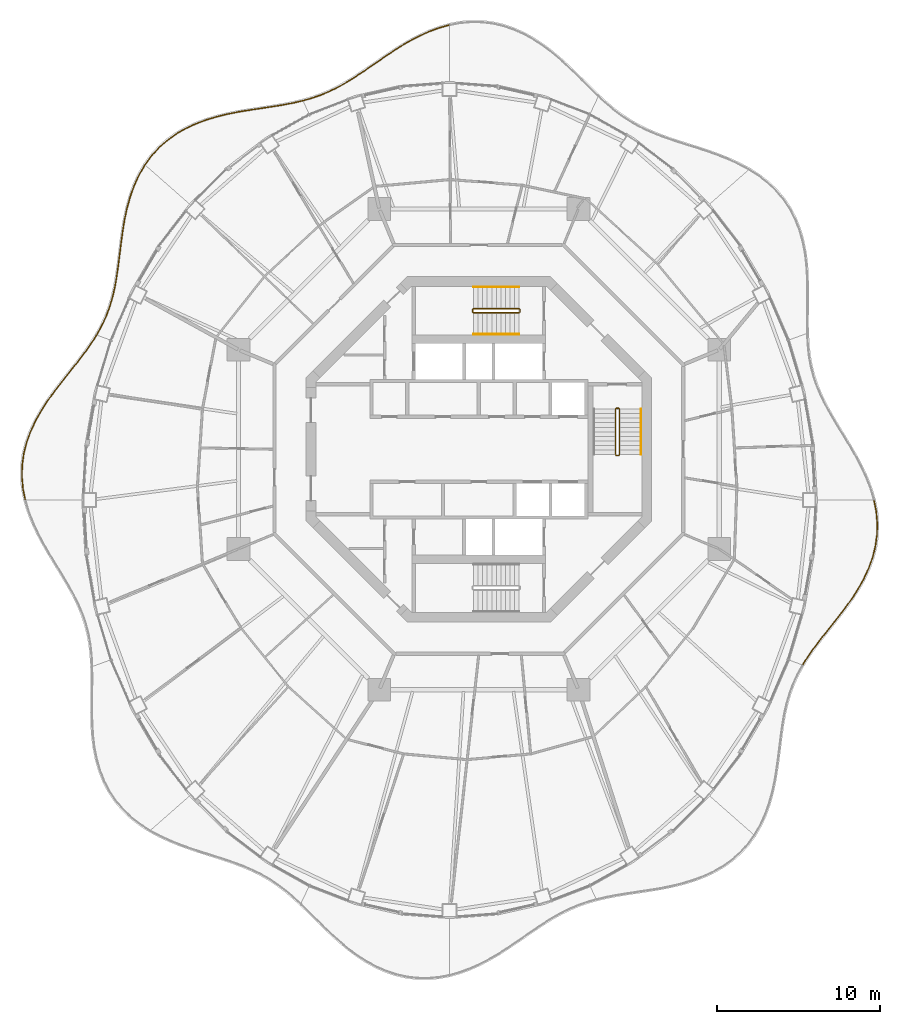
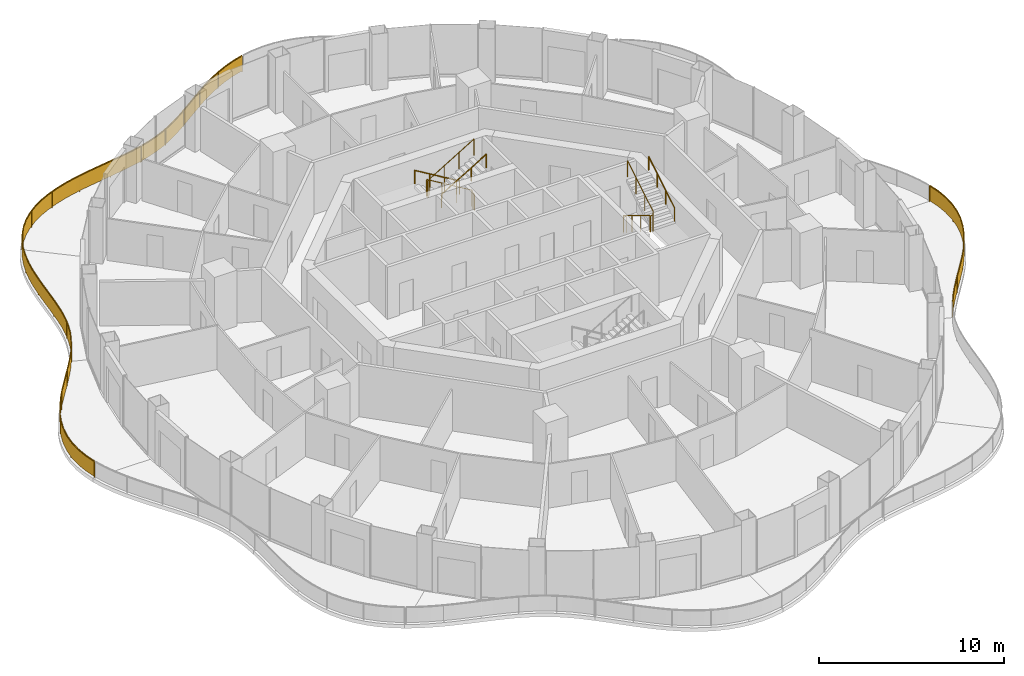
# One storey, part 16 of 17: 10 railings.
"""IFC4 building model written with IfcOpenShell, lengths in metres."""

from ifc_helpers import new_model, si_unit, direction, frame, origin, origin_2d, place, context, subcontext, project, spatial, polyline, rectangle, circle, outline, extrude, material, type_object, element, save


model = new_model("IFC4")

# Units and contexts
model_context = context("Model", 3, precision=1e-05, world=origin(), true_north=direction((0.0, 1.0)))
body_context = subcontext(model_context, "Body", "Model", "MODEL_VIEW")
ifc_project = project(units=[si_unit("LENGTHUNIT", "METRE"), si_unit("AREAUNIT", "SQUARE_METRE"), si_unit("VOLUMEUNIT", "CUBIC_METRE"), si_unit("PLANEANGLEUNIT", "RADIAN"), si_unit("MASSUNIT", "GRAM", prefix="KILO")], contexts=[model_context])

# Site, building, storey
site_placement = place(None, origin())
site = spatial("IfcSite", under=ifc_project, at=site_placement, CompositionType="ELEMENT")
building_placement = place(site_placement, origin())
building = spatial("IfcBuilding", under=site, at=building_placement, Name="Nagisa Residences", CompositionType="ELEMENT")
storey_placement = place(building_placement, frame((0.0, 0.0, 273.300048828125)))
storey = spatial("IfcBuildingStorey", under=building, at=storey_placement, Name="L69", CompositionType="ELEMENT", Elevation=273.300048828125)

# Railings
ifc_material_1 = material(Name="Stainless steel 316", Category="steel")
railing_type_1 = type_object("IfcRailingType", Name="BALCONY GUARD 1100", PredefinedType="BALUSTRADE", material=ifc_material_1)
railing_1_placement = place(storey_placement, frame((-1.837158203125, 26.0849609375, 0.0)))
element("IfcRailing", 1, at=railing_1_placement, inside=storey, type_object=railing_type_1, Name="guard:L69:bal04-0", PredefinedType="BALUSTRADE", context=body_context, shape_type="SweptSolid", body=[
    extrude(outline(polyline([(-0.601318359375, -0.197021484375), (0.0068359375, -0.024169921875), (-0.0068359375, 0.024169921875), (-0.616943359375, -0.149658203125), (-1.261474609375, -0.38916015625), (-1.890380859375, -0.675537109375), (-2.50146484375, -0.99951171875), (-3.093994140625, -1.351318359375), (-3.650390625, -1.71826171875), (-4.206787109375, -2.09521484375), (-4.74853515625, -2.470458984375), (-5.2783203125, -2.834716796875), (-5.80078125, -3.1806640625), (-6.30224609375, -3.496337890625), (-6.822021484375, -3.787841796875), (-7.34716796875, -4.046875), (-7.882568359375, -4.2724609375), (-8.431640625, -4.465576171875), (-8.9560546875, -4.616455078125), (-8.9423828125, -4.664794921875), (-8.41650390625, -4.513427734375), (-7.864501953125, -4.3193359375), (-7.326171875, -4.09228515625), (-6.798583984375, -3.832275390625), (-6.27685546875, -3.539306640625), (-5.7734375, -3.22265625), (-5.25048828125, -2.876220703125), (-4.72021484375, -2.511474609375), (-4.178466796875, -2.13671875), (-3.62255859375, -1.759765625), (-3.067626953125, -1.393798828125), (-2.47705078125, -1.04296875), (-1.868408203125, -0.720458984375), (-1.242431640625, -0.435546875), (-0.601318359375, -0.197021484375)])), frame((0.0, 0.0, 1.050048828125)), (0.0, 0.0, 1.0), 0.050048828125),
    extrude(outline(polyline([(-0.60693359375, -0.179931640625), (0.001953125, -0.0068359375), (-0.001953125, 0.0068359375), (-0.611328125, -0.166748046875), (-1.254638671875, -0.40576171875), (-1.882568359375, -0.691650390625), (-2.49267578125, -1.01513671875), (-3.08447265625, -1.36669921875), (-3.640380859375, -1.733154296875), (-4.196533203125, -2.110107421875), (-4.73828125, -2.485107421875), (-5.268310546875, -2.849609375), (-5.791015625, -3.19580078125), (-6.293212890625, -3.51171875), (-6.8134765625, -3.803955078125), (-7.339599609375, -4.063232421875), (-7.8759765625, -4.289306640625), (-8.42626953125, -4.48291015625), (-8.951171875, -4.6337890625), (-8.947265625, -4.6474609375), (-8.421875, -4.49609375), (-7.87109375, -4.302490234375), (-7.333740234375, -4.075927734375), (-6.80712890625, -3.816162109375), (-6.285888671875, -3.52392578125), (-5.783203125, -3.20751953125), (-5.260498046875, -2.861328125), (-4.73046875, -2.496826171875), (-4.188720703125, -2.121826171875), (-3.632568359375, -1.744873046875), (-3.0771484375, -1.37841796875), (-2.48583984375, -1.02734375), (-1.876220703125, -0.704345703125), (-1.249267578125, -0.4189453125), (-0.60693359375, -0.179931640625)])), frame((0.0, 0.0, 0.06005859375)), (0.0, 0.0, 1.0), 0.989990234375),
    extrude(rectangle(XDim=0.0400390625, YDim=0.0400390625, at=origin_2d()), origin(), (0.0, 0.0, 1.0), 1.050048828125),
    extrude(rectangle(XDim=0.0400390625, YDim=0.0400390625, at=origin_2d()), frame((-1.897216796875, -0.70751953125, 0.0)), (0.0, 0.0, 1.0), 1.050048828125),
    extrude(rectangle(XDim=0.0400390625, YDim=0.0400390625, at=origin_2d()), frame((-3.640625, -1.741943359375, 0.0)), (0.0, 0.0, 1.0), 1.050048828125),
    extrude(rectangle(XDim=0.0400390625, YDim=0.0400390625, at=origin_2d()), frame((-5.314208984375, -2.888427734375, 0.0)), (0.0, 0.0, 1.0), 1.050048828125),
    extrude(rectangle(XDim=0.0400390625, YDim=0.0400390625, at=origin_2d()), frame((-7.05322265625, -3.9296875, 0.0)), (0.0, 0.0, 1.0), 1.050048828125),
    extrude(rectangle(XDim=0.0400390625, YDim=0.0400390625, at=origin_2d()), frame((-8.94921875, -4.640625, 0.0)), (0.0, 0.0, 1.0), 1.050048828125),
])
railing_2_placement = place(storey_placement, frame((-10.85498046875, 21.42822265625, 0.0)))
element("IfcRailing", 2, at=railing_2_placement, inside=storey, type_object=railing_type_1, Name="guard:L69:bal05-0", PredefinedType="BALUSTRADE", context=body_context, shape_type="SweptSolid", body=[
    extrude(outline(polyline([(-0.560546875, -0.155517578125), (0.005615234375, -0.0244140625), (-0.005615234375, 0.0244140625), (-0.57080078125, -0.106689453125), (-1.19873046875, -0.226806640625), (-1.846435546875, -0.3330078125), (-2.51220703125, -0.43310546875), (-3.1923828125, -0.53662109375), (-3.867919921875, -0.6435546875), (-4.560546875, -0.781005859375), (-5.2490234375, -0.948486328125), (-5.92578125, -1.153076171875), (-6.582763671875, -1.400634765625), (-7.19970703125, -1.68603515625), (-7.794189453125, -2.033203125), (-8.346435546875, -2.43212890625), (-8.8515625, -2.883056640625), (-9.305419921875, -3.383544921875), (-9.67626953125, -3.89208984375), (-9.6357421875, -3.92138671875), (-9.266357421875, -3.415283203125), (-8.81640625, -2.918701171875), (-8.315185546875, -2.47119140625), (-7.766845703125, -2.0751953125), (-7.1767578125, -1.73046875), (-6.563232421875, -1.447021484375), (-5.90966796875, -1.200439453125), (-5.23583984375, -0.996826171875), (-4.5498046875, -0.829833984375), (-3.859130859375, -0.69287109375), (-3.1845703125, -0.5859375), (-2.5048828125, -0.482421875), (-1.838623046875, -0.38232421875), (-1.18994140625, -0.276123046875), (-0.560546875, -0.155517578125)])), frame((0.0, 0.0, 1.050048828125)), (0.0, 0.0, 1.0), 0.050048828125),
    extrude(outline(polyline([(-0.564208984375, -0.137939453125), (0.00146484375, -0.0068359375), (-0.00146484375, 0.0068359375), (-0.567138671875, -0.124267578125), (-1.195556640625, -0.24462890625), (-1.843505859375, -0.350830078125), (-2.509521484375, -0.450927734375), (-3.189453125, -0.554443359375), (-3.86474609375, -0.661376953125), (-4.556640625, -0.798583984375), (-5.244384765625, -0.9658203125), (-5.919921875, -1.170166015625), (-6.57568359375, -1.41748046875), (-7.19140625, -1.7021484375), (-7.784423828125, -2.04833984375), (-8.335205078125, -2.4462890625), (-8.8388671875, -2.89599609375), (-9.291259765625, -3.39501953125), (-9.66162109375, -3.902587890625), (-9.650390625, -3.910888671875), (-9.280517578125, -3.40380859375), (-8.8291015625, -2.90576171875), (-8.326416015625, -2.45703125), (-7.776611328125, -2.06005859375), (-7.18505859375, -1.71435546875), (-6.5703125, -1.43017578125), (-5.91552734375, -1.183349609375), (-5.240478515625, -0.9794921875), (-4.5537109375, -0.812255859375), (-3.8623046875, -0.675048828125), (-3.1875, -0.568115234375), (-2.507568359375, -0.464599609375), (-1.841552734375, -0.364501953125), (-1.193115234375, -0.25830078125), (-0.564208984375, -0.137939453125)])), frame((0.0, 0.0, 0.06005859375)), (0.0, 0.0, 1.0), 0.989990234375),
    extrude(rectangle(XDim=0.0400390625, YDim=0.0400390625, at=origin_2d()), origin(), (0.0, 0.0, 1.0), 1.050048828125),
    extrude(rectangle(XDim=0.0400390625, YDim=0.0400390625, at=origin_2d()), frame((-2.113525390625, -0.3984375, 0.0)), (0.0, 0.0, 1.0), 1.050048828125),
    extrude(rectangle(XDim=0.0400390625, YDim=0.0400390625, at=origin_2d()), frame((-4.2373046875, -0.742431640625, 0.0)), (0.0, 0.0, 1.0), 1.050048828125),
    extrude(rectangle(XDim=0.0400390625, YDim=0.0400390625, at=origin_2d()), frame((-6.305908203125, -1.322998046875, 0.0)), (0.0, 0.0, 1.0), 1.050048828125),
    extrude(rectangle(XDim=0.0400390625, YDim=0.0400390625, at=origin_2d()), frame((-8.18798828125, -2.348388671875, 0.0)), (0.0, 0.0, 1.0), 1.050048828125),
    extrude(rectangle(XDim=0.0400390625, YDim=0.0400390625, at=origin_2d()), frame((-9.656005859375, -3.90673828125, 0.0)), (0.0, 0.0, 1.0), 1.050048828125),
])
railing_3_placement = place(storey_placement, frame((-20.552978515625, 17.45654296875, 0.0)))
element("IfcRailing", 3, at=railing_3_placement, inside=storey, type_object=railing_type_1, Name="guard:L69:bal06-0", PredefinedType="BALUSTRADE", context=body_context, shape_type="SweptSolid", body=[
    extrude(outline(polyline([(-0.312744140625, -0.586669921875), (0.021728515625, -0.0126953125), (-0.021728515625, 0.0126953125), (-0.357177734375, -0.563720703125), (-0.65869140625, -1.21826171875), (-0.9052734375, -1.903076171875), (-1.102294921875, -2.60888671875), (-1.25732421875, -3.327880859375), (-1.370849609375, -4.03857421875), (-1.470703125, -4.7587890625), (-1.558349609375, -5.46875), (-1.645751953125, -6.163330078125), (-1.742919921875, -6.8388671875), (-1.853759765625, -7.478759765625), (-1.999267578125, -8.108642578125), (-2.180419921875, -8.715576171875), (-2.402099609375, -9.3017578125), (-2.666259765625, -9.8701171875), (-2.9541015625, -10.388427734375), (-2.91015625, -10.412841796875), (-2.621826171875, -9.89306640625), (-2.355712890625, -9.3212890625), (-2.133056640625, -8.731689453125), (-1.950927734375, -8.121337890625), (-1.804443359375, -7.488525390625), (-1.693603515625, -6.8466796875), (-1.595947265625, -6.170166015625), (-1.508544921875, -5.47509765625), (-1.4208984375, -4.76513671875), (-1.321533203125, -4.0458984375), (-1.2080078125, -3.337158203125), (-1.053466796875, -2.62109375), (-0.857421875, -1.918212890625), (-0.6123046875, -1.2373046875), (-0.312744140625, -0.586669921875)])), frame((0.0, 0.0, 1.050048828125)), (0.0, 0.0, 1.0), 0.050048828125),
    extrude(outline(polyline([(-0.328857421875, -0.578369140625), (0.006103515625, -0.00341796875), (-0.006103515625, 0.00341796875), (-0.341064453125, -0.572021484375), (-0.64208984375, -1.22509765625), (-0.887939453125, -1.908447265625), (-1.084716796875, -2.61328125), (-1.239501953125, -3.331298828125), (-1.35302734375, -4.041259765625), (-1.45263671875, -4.760986328125), (-1.540283203125, -5.470947265625), (-1.627685546875, -6.165771484375), (-1.72509765625, -6.841796875), (-1.8359375, -7.482177734375), (-1.98193359375, -8.11328125), (-2.163330078125, -8.721435546875), (-2.38525390625, -9.308837890625), (-2.650390625, -9.87841796875), (-2.938232421875, -10.397216796875), (-2.926025390625, -10.404052734375), (-2.6376953125, -9.884765625), (-2.37255859375, -9.314208984375), (-2.150146484375, -8.725830078125), (-1.96826171875, -8.11669921875), (-1.822265625, -7.485107421875), (-1.71142578125, -6.84375), (-1.614013671875, -6.167724609375), (-1.526611328125, -5.472900390625), (-1.43896484375, -4.762939453125), (-1.33935546875, -4.043212890625), (-1.225830078125, -3.333740234375), (-1.071044921875, -2.61669921875), (-0.874755859375, -1.912841796875), (-0.62890625, -1.23046875), (-0.328857421875, -0.578369140625)])), frame((0.0, 0.0, 0.06005859375)), (0.0, 0.0, 1.0), 0.989990234375),
    extrude(rectangle(XDim=0.0400390625, YDim=0.0400390625, at=origin_2d()), origin(), (0.0, 0.0, 1.0), 1.050048828125),
    extrude(rectangle(XDim=0.0400390625, YDim=0.0400390625, at=origin_2d()), frame((-0.900390625, -1.97900390625, 0.0)), (0.0, 0.0, 1.0), 1.050048828125),
    extrude(rectangle(XDim=0.0400390625, YDim=0.0400390625, at=origin_2d()), frame((-1.35546875, -4.109130859375, 0.0)), (0.0, 0.0, 1.0), 1.050048828125),
    extrude(rectangle(XDim=0.0400390625, YDim=0.0400390625, at=origin_2d()), frame((-1.635986328125, -6.271728515625, 0.0)), (0.0, 0.0, 1.0), 1.050048828125),
    extrude(rectangle(XDim=0.0400390625, YDim=0.0400390625, at=origin_2d()), frame((-2.0625, -8.407470703125, 0.0)), (0.0, 0.0, 1.0), 1.050048828125),
    extrude(rectangle(XDim=0.0400390625, YDim=0.0400390625, at=origin_2d()), frame((-2.93212890625, -10.400634765625, 0.0)), (0.0, 0.0, 1.0), 1.050048828125),
])
railing_4_placement = place(storey_placement, frame((-23.522705078125, 6.996337890625, 0.0)))
element("IfcRailing", 4, at=railing_4_placement, inside=storey, type_object=railing_type_1, Name="guard:L69:bal07-0", PredefinedType="BALUSTRADE", context=body_context, shape_type="SweptSolid", body=[
    extrude(outline(polyline([(-0.318115234375, -0.5419921875), (0.02099609375, -0.013427734375), (-0.02099609375, 0.013427734375), (-0.359619140625, -0.51416015625), (-0.758056640625, -1.07275390625), (-1.187744140625, -1.632568359375), (-1.637939453125, -2.19873046875), (-2.097412109375, -2.7763671875), (-2.55029296875, -3.354736328125), (-2.9892578125, -3.96484375), (-3.397705078125, -4.59423828125), (-3.762451171875, -5.2431640625), (-4.072509765625, -5.9111328125), (-4.31591796875, -6.581787109375), (-4.488525390625, -7.2802734375), (-4.583251953125, -7.98828125), (-4.598388671875, -8.701904296875), (-4.534423828125, -9.416259765625), (-4.403076171875, -10.0810546875), (-4.353759765625, -10.0712890625), (-4.484619140625, -9.408935546875), (-4.548095703125, -8.699951171875), (-4.533447265625, -7.9921875), (-4.439208984375, -7.28955078125), (-4.26806640625, -6.596435546875), (-4.026123046875, -5.93017578125), (-3.718017578125, -5.26611328125), (-3.354736328125, -4.6201171875), (-2.94775390625, -3.9931640625), (-2.51025390625, -3.385009765625), (-2.058349609375, -2.80712890625), (-1.598876953125, -2.22998046875), (-1.148193359375, -1.663330078125), (-0.718017578125, -1.1025390625), (-0.318115234375, -0.5419921875)])), frame((0.0, 0.0, 1.050048828125)), (0.0, 0.0, 1.0), 0.050048828125),
    extrude(outline(polyline([(-0.3330078125, -0.531982421875), (0.005859375, -0.003662109375), (-0.005859375, 0.003662109375), (-0.3447265625, -0.524169921875), (-0.74365234375, -1.08349609375), (-1.173583984375, -1.6435546875), (-1.623779296875, -2.2099609375), (-2.08349609375, -2.787353515625), (-2.535888671875, -3.36572265625), (-2.974365234375, -3.97509765625), (-3.38232421875, -4.603515625), (-3.74658203125, -5.25146484375), (-4.055908203125, -5.91796875), (-4.298583984375, -6.587158203125), (-4.470703125, -7.28369140625), (-4.5654296875, -7.98974609375), (-4.580322265625, -8.701171875), (-4.516357421875, -9.41357421875), (-4.38525390625, -10.07763671875), (-4.37158203125, -10.07470703125), (-4.502685546875, -9.41162109375), (-4.566162109375, -8.70068359375), (-4.55126953125, -7.99072265625), (-4.45703125, -7.2861328125), (-4.285400390625, -6.591064453125), (-4.042724609375, -5.92333984375), (-3.73388671875, -5.2578125), (-3.3701171875, -4.61083984375), (-2.962646484375, -3.98291015625), (-2.524658203125, -3.3740234375), (-2.072265625, -2.796142578125), (-1.613037109375, -2.21875), (-1.162353515625, -1.65234375), (-0.732421875, -1.091796875), (-0.3330078125, -0.531982421875)])), frame((0.0, 0.0, 0.06005859375)), (0.0, 0.0, 1.0), 0.989990234375),
    extrude(rectangle(XDim=0.0400390625, YDim=0.0400390625, at=origin_2d()), origin(), (0.0, 0.0, 1.0), 1.050048828125),
    extrude(rectangle(XDim=0.0400390625, YDim=0.0400390625, at=origin_2d()), frame((-1.33349609375, -1.85595703125, 0.0)), (0.0, 0.0, 1.0), 1.050048828125),
    extrude(rectangle(XDim=0.0400390625, YDim=0.0400390625, at=origin_2d()), frame((-2.73876953125, -3.65966796875, 0.0)), (0.0, 0.0, 1.0), 1.050048828125),
    extrude(rectangle(XDim=0.0400390625, YDim=0.0400390625, at=origin_2d()), frame((-3.909423828125, -5.619140625, 0.0)), (0.0, 0.0, 1.0), 1.050048828125),
    extrude(rectangle(XDim=0.0400390625, YDim=0.0400390625, at=origin_2d()), frame((-4.53369140625, -7.806884765625, 0.0)), (0.0, 0.0, 1.0), 1.050048828125),
    extrude(rectangle(XDim=0.0400390625, YDim=0.0400390625, at=origin_2d()), frame((-4.37841796875, -10.076171875, 0.0)), (0.0, 0.0, 1.0), 1.050048828125),
])
railing_5_placement = place(storey_placement, frame((19.9228515625, -13.231689453125, 0.0)))
element("IfcRailing", 5, at=railing_5_placement, inside=storey, type_object=railing_type_1, Name="guard:L69:bal15-0", PredefinedType="BALUSTRADE", context=body_context, shape_type="SweptSolid", body=[
    extrude(outline(polyline([(0.31787109375, 0.5419921875), (-0.02099609375, 0.013427734375), (0.02099609375, -0.013427734375), (0.359375, 0.51416015625), (0.758056640625, 1.07275390625), (1.1875, 1.632568359375), (1.6376953125, 2.19873046875), (2.09716796875, 2.7763671875), (2.550048828125, 3.354736328125), (2.9892578125, 3.96484375), (3.3974609375, 4.59423828125), (3.762451171875, 5.2431640625), (4.072265625, 5.9111328125), (4.315673828125, 6.581787109375), (4.48828125, 7.280029296875), (4.5830078125, 7.988037109375), (4.598388671875, 8.70166015625), (4.534423828125, 9.416259765625), (4.403076171875, 10.0810546875), (4.353759765625, 10.0712890625), (4.484619140625, 9.408935546875), (4.548095703125, 8.7001953125), (4.533203125, 7.991943359375), (4.43896484375, 7.289306640625), (4.267822265625, 6.596435546875), (4.02587890625, 5.93017578125), (3.718017578125, 5.26611328125), (3.3544921875, 4.6201171875), (2.94775390625, 3.9931640625), (2.510009765625, 3.385009765625), (2.05810546875, 2.80712890625), (1.5986328125, 2.22998046875), (1.14794921875, 1.663330078125), (0.718017578125, 1.1025390625), (0.31787109375, 0.5419921875)])), frame((0.0, 0.0, 1.050048828125)), (0.0, 0.0, 1.0), 0.050048828125),
    extrude(outline(polyline([(0.332763671875, 0.531982421875), (-0.005859375, 0.003662109375), (0.005859375, -0.003662109375), (0.344482421875, 0.524169921875), (0.74365234375, 1.08349609375), (1.17333984375, 1.6435546875), (1.62353515625, 2.2099609375), (2.083251953125, 2.787353515625), (2.53564453125, 3.36572265625), (2.974365234375, 3.97509765625), (3.382080078125, 4.603515625), (3.74658203125, 5.25146484375), (4.0556640625, 5.91796875), (4.29833984375, 6.587158203125), (4.470458984375, 7.283447265625), (4.565185546875, 7.989501953125), (4.580322265625, 8.701171875), (4.516357421875, 9.41357421875), (4.38525390625, 10.07763671875), (4.37158203125, 10.07470703125), (4.502685546875, 9.41162109375), (4.566162109375, 8.70068359375), (4.551025390625, 7.990478515625), (4.456787109375, 7.285888671875), (4.28515625, 6.591064453125), (4.04248046875, 5.92333984375), (3.73388671875, 5.2578125), (3.369873046875, 4.61083984375), (2.962646484375, 3.98291015625), (2.5244140625, 3.3740234375), (2.072021484375, 2.796142578125), (1.61279296875, 2.21875), (1.162109375, 1.65234375), (0.732421875, 1.091796875), (0.332763671875, 0.531982421875)])), frame((0.0, 0.0, 0.06005859375)), (0.0, 0.0, 1.0), 0.989990234375),
    extrude(rectangle(XDim=0.0400390625, YDim=0.0400390625, at=origin_2d()), origin(), (0.0, 0.0, 1.0), 1.050048828125),
    extrude(rectangle(XDim=0.0400390625, YDim=0.0400390625, at=origin_2d()), frame((1.333251953125, 1.856201171875, 0.0)), (0.0, 0.0, 1.0), 1.050048828125),
    extrude(rectangle(XDim=0.0400390625, YDim=0.0400390625, at=origin_2d()), frame((2.738525390625, 3.65966796875, 0.0)), (0.0, 0.0, 1.0), 1.050048828125),
    extrude(rectangle(XDim=0.0400390625, YDim=0.0400390625, at=origin_2d()), frame((3.9091796875, 5.619140625, 0.0)), (0.0, 0.0, 1.0), 1.050048828125),
    extrude(rectangle(XDim=0.0400390625, YDim=0.0400390625, at=origin_2d()), frame((4.533447265625, 7.806884765625, 0.0)), (0.0, 0.0, 1.0), 1.050048828125),
    extrude(rectangle(XDim=0.0400390625, YDim=0.0400390625, at=origin_2d()), frame((4.37841796875, 10.076171875, 0.0)), (0.0, 0.0, 1.0), 1.050048828125),
])
ifc_material_2 = material(Name="Stainless steel", Category="steel")
railing_type_2 = type_object("IfcRailingType", Name="Stair guard 1100", PredefinedType="GUARDRAIL", material=ifc_material_2)
railing_6_placement = place(storey_placement, frame((8.599609375, 2.52490234375, 0.0)))
element("IfcRailing", 6, at=railing_6_placement, inside=storey, type_object=railing_type_2, Name="L69 ST-E stair guard 1", PredefinedType="GUARDRAIL", context=body_context, shape_type="SweptSolid", body=[
    extrude(circle(Radius=0.02392578125, at=origin_2d()), frame((0.0, 0.0, 1.076171875), z_axis=(-1.0, 0.0, 0.0), x_axis=(0.0, -1.0, 0.0)), (0.0, 0.0, 1.0), 0.14990234375),
    extrude(circle(Radius=0.02392578125, at=origin_2d()), frame((-0.14990234375, 0.0, 1.076171875), z_axis=(-0.27434429532, -0.273006030465, 0.922064485248), x_axis=(0.705375805398, -0.708833529934, 0.0)), (0.0, 0.0, 1.0), 0.182373046875),
    extrude(circle(Radius=0.02392578125, at=origin_2d()), frame((-0.199951171875, -0.0498046875, 1.244140625), z_axis=(0.0, -0.857275202839, 0.514858452973), x_axis=(1.0, 0.0, 0.0)), (0.0, 0.0, 1.0), 3.26611328125),
    extrude(circle(Radius=0.02392578125, at=origin_2d()), frame((-0.199951171875, -2.849853515625, 2.92578125), z_axis=(0.707106781187, -0.707106781187, 0.0), x_axis=(0.707106781187, 0.707106781187, 0.0)), (0.0, 0.0, 1.0), 0.07080078125),
    extrude(circle(Radius=0.02392578125, at=origin_2d()), frame((-0.14990234375, -2.89990234375, 2.92578125), z_axis=(1.0, 0.0, 0.0), x_axis=(0.0, 1.0, 0.0)), (0.0, 0.0, 1.0), 0.14990234375),
    extrude(circle(Radius=0.02392578125, at=origin_2d()), frame((0.0, -2.89990234375, 2.92578125), z_axis=(0.274243871929, 0.274243871929, 0.92172696468), x_axis=(-0.707106781187, 0.707106781187, 0.0)), (0.0, 0.0, 1.0), 0.1826171875),
    extrude(circle(Radius=0.02392578125, at=origin_2d()), frame((0.050048828125, -2.849853515625, 3.09423828125), z_axis=(0.0, 0.857242210791, 0.514913383045), x_axis=(-1.0, 0.0, 0.0)), (0.0, 0.0, 1.0), 3.266357421875),
    extrude(circle(Radius=0.02099609375, at=origin_2d()), origin(), (0.0, 0.0, 1.0), 1.052001953125),
    extrude(circle(Radius=0.02099609375, at=origin_2d()), frame((-0.14990234375, 0.0, 0.0)), (0.0, 0.0, 1.0), 1.052001953125),
    extrude(circle(Radius=0.02099609375, at=origin_2d()), frame((-0.199951171875, -0.0498046875, 0.168212890625)), (0.0, 0.0, 1.0), 1.052001953125),
    extrude(circle(Radius=0.02099609375, at=origin_2d()), frame((-0.199951171875, -0.983154296875, 0.728759765625)), (0.0, 0.0, 1.0), 1.052001953125),
    extrude(circle(Radius=0.02099609375, at=origin_2d()), frame((-0.199951171875, -1.91650390625, 1.289306640625)), (0.0, 0.0, 1.0), 1.052001953125),
    extrude(circle(Radius=0.02099609375, at=origin_2d()), frame((-0.199951171875, -2.849853515625, 1.849853515625)), (0.0, 0.0, 1.0), 1.052001953125),
    extrude(circle(Radius=0.02099609375, at=origin_2d()), frame((-0.14990234375, -2.89990234375, 1.849853515625)), (0.0, 0.0, 1.0), 1.052001953125),
    extrude(circle(Radius=0.02099609375, at=origin_2d()), frame((0.0, -2.89990234375, 1.849853515625)), (0.0, 0.0, 1.0), 1.052001953125),
    extrude(circle(Radius=0.02099609375, at=origin_2d()), frame((0.050048828125, -2.849853515625, 2.01806640625)), (0.0, 0.0, 1.0), 1.052001953125),
    extrude(circle(Radius=0.02099609375, at=origin_2d()), frame((0.050048828125, -1.91650390625, 2.57861328125)), (0.0, 0.0, 1.0), 1.052001953125),
    extrude(circle(Radius=0.02099609375, at=origin_2d()), frame((0.050048828125, -0.983154296875, 3.139404296875)), (0.0, 0.0, 1.0), 1.052001953125),
    extrude(circle(Radius=0.02099609375, at=origin_2d()), frame((0.050048828125, -0.0498046875, 3.699951171875)), (0.0, 0.0, 1.0), 1.052001953125),
])
railing_7_placement = place(storey_placement, frame((2.52490234375, 8.44970703125, 0.0)))
element("IfcRailing", 7, at=railing_7_placement, inside=storey, type_object=railing_type_2, Name="L69 ST-N stair guard 1", PredefinedType="GUARDRAIL", context=body_context, shape_type="SweptSolid", body=[
    extrude(circle(Radius=0.02392578125, at=origin_2d()), frame((0.0, 0.0, 1.076171875), z_axis=(0.0, 1.0, 0.0), x_axis=(-1.0, 0.0, 0.0)), (0.0, 0.0, 1.0), 0.14990234375),
    extrude(circle(Radius=0.02392578125, at=origin_2d()), frame((0.0, 0.14990234375, 1.076171875), z_axis=(-0.273006030465, 0.27434429532, 0.922064485248), x_axis=(-0.708833529934, -0.705375805398, 0.0)), (0.0, 0.0, 1.0), 0.182373046875),
    extrude(circle(Radius=0.02392578125, at=origin_2d()), frame((-0.0498046875, 0.199951171875, 1.244140625), z_axis=(-0.857275202839, 0.0, 0.514858452973), x_axis=(0.0, -1.0, 0.0)), (0.0, 0.0, 1.0), 3.26611328125),
    extrude(circle(Radius=0.02392578125, at=origin_2d()), frame((-2.849853515625, 0.199951171875, 2.92578125), z_axis=(-0.707106781187, -0.707106781187, 0.0), x_axis=(0.707106781187, -0.707106781187, 0.0)), (0.0, 0.0, 1.0), 0.07080078125),
    extrude(circle(Radius=0.02392578125, at=origin_2d()), frame((-2.89990234375, 0.14990234375, 2.92578125), z_axis=(0.0, -1.0, 0.0), x_axis=(1.0, 0.0, 0.0)), (0.0, 0.0, 1.0), 0.14990234375),
    extrude(circle(Radius=0.02392578125, at=origin_2d()), frame((-2.89990234375, 0.0, 2.92578125), z_axis=(0.274243871929, -0.274243871929, 0.92172696468), x_axis=(0.707106781187, 0.707106781187, 0.0)), (0.0, 0.0, 1.0), 0.1826171875),
    extrude(circle(Radius=0.02392578125, at=origin_2d()), frame((-2.849853515625, -0.050048828125, 3.09423828125), z_axis=(0.857242210791, 0.0, 0.514913383045), x_axis=(0.0, 1.0, 0.0)), (0.0, 0.0, 1.0), 3.266357421875),
    extrude(circle(Radius=0.02099609375, at=origin_2d()), origin(), (0.0, 0.0, 1.0), 1.052001953125),
    extrude(circle(Radius=0.02099609375, at=origin_2d()), frame((0.0, 0.14990234375, 0.0)), (0.0, 0.0, 1.0), 1.052001953125),
    extrude(circle(Radius=0.02099609375, at=origin_2d()), frame((-0.0498046875, 0.199951171875, 0.168212890625)), (0.0, 0.0, 1.0), 1.052001953125),
    extrude(circle(Radius=0.02099609375, at=origin_2d()), frame((-0.983154296875, 0.199951171875, 0.728759765625)), (0.0, 0.0, 1.0), 1.052001953125),
    extrude(circle(Radius=0.02099609375, at=origin_2d()), frame((-1.91650390625, 0.199951171875, 1.289306640625)), (0.0, 0.0, 1.0), 1.052001953125),
    extrude(circle(Radius=0.02099609375, at=origin_2d()), frame((-2.849853515625, 0.199951171875, 1.849853515625)), (0.0, 0.0, 1.0), 1.052001953125),
    extrude(circle(Radius=0.02099609375, at=origin_2d()), frame((-2.89990234375, 0.14990234375, 1.849853515625)), (0.0, 0.0, 1.0), 1.052001953125),
    extrude(circle(Radius=0.02099609375, at=origin_2d()), frame((-2.89990234375, 0.0, 1.849853515625)), (0.0, 0.0, 1.0), 1.052001953125),
    extrude(circle(Radius=0.02099609375, at=origin_2d()), frame((-2.849853515625, -0.050048828125, 2.01806640625)), (0.0, 0.0, 1.0), 1.052001953125),
    extrude(circle(Radius=0.02099609375, at=origin_2d()), frame((-1.91650390625, -0.050048828125, 2.57861328125)), (0.0, 0.0, 1.0), 1.052001953125),
    extrude(circle(Radius=0.02099609375, at=origin_2d()), frame((-0.983154296875, -0.050048828125, 3.139404296875)), (0.0, 0.0, 1.0), 1.052001953125),
    extrude(circle(Radius=0.02099609375, at=origin_2d()), frame((-0.0498046875, -0.050048828125, 3.699951171875)), (0.0, 0.0, 1.0), 1.052001953125),
])
ifc_material_3 = material(Name="Stainless steel", Category="steel")
railing_type_3 = type_object("IfcRailingType", Name="Stair handrail 900", PredefinedType="HANDRAIL", material=ifc_material_3)
railing_8_placement = place(storey_placement, frame((9.974609375, -0.324951171875, 2.01806640625)))
element("IfcRailing", 8, at=railing_8_placement, inside=storey, type_object=railing_type_3, Name="L69 ST-E stair handrail 2", PredefinedType="HANDRAIL", context=body_context, shape_type="SweptSolid", body=[
    extrude(circle(Radius=0.02392578125, at=origin_2d()), frame((0.0, 0.0, 0.8759765625), z_axis=(0.0, 0.857242210791, 0.514913383045), x_axis=(-1.0, 0.0, 0.0)), (0.0, 0.0, 1.0), 3.266357421875),
    extrude(circle(Radius=0.02099609375, at=origin_2d()), origin(), (0.0, 0.0, 1.0), 0.851806640625),
    extrude(circle(Radius=0.02099609375, at=origin_2d()), frame((0.0, 0.933349609375, 0.560546875)), (0.0, 0.0, 1.0), 0.851806640625),
    extrude(circle(Radius=0.02099609375, at=origin_2d()), frame((0.0, 1.86669921875, 1.121337890625)), (0.0, 0.0, 1.0), 0.851806640625),
    extrude(circle(Radius=0.02099609375, at=origin_2d()), frame((0.0, 2.800048828125, 1.681884765625)), (0.0, 0.0, 1.0), 0.851806640625),
])
railing_9_placement = place(storey_placement, frame((2.47509765625, 9.974609375, 0.168212890625)))
element("IfcRailing", 9, at=railing_9_placement, inside=storey, type_object=railing_type_3, Name="L69 ST-N stair handrail 1", PredefinedType="HANDRAIL", context=body_context, shape_type="SweptSolid", body=[
    extrude(circle(Radius=0.02392578125, at=origin_2d()), frame((0.0, 0.0, 0.8759765625), z_axis=(-0.857275202839, 0.0, 0.514858452973), x_axis=(0.0, -1.0, 0.0)), (0.0, 0.0, 1.0), 3.26611328125),
    extrude(circle(Radius=0.02099609375, at=origin_2d()), origin(), (0.0, 0.0, 1.0), 0.851806640625),
    extrude(circle(Radius=0.02099609375, at=origin_2d()), frame((-0.933349609375, 0.0, 0.560546875)), (0.0, 0.0, 1.0), 0.851806640625),
    extrude(circle(Radius=0.02099609375, at=origin_2d()), frame((-1.86669921875, 0.0, 1.12109375)), (0.0, 0.0, 1.0), 0.851806640625),
    extrude(circle(Radius=0.02099609375, at=origin_2d()), frame((-2.800048828125, 0.0, 1.681640625)), (0.0, 0.0, 1.0), 0.851806640625),
])
railing_10_placement = place(storey_placement, frame((-0.324951171875, 7.07470703125, 2.01806640625)))
element("IfcRailing", 10, at=railing_10_placement, inside=storey, type_object=railing_type_3, Name="L69 ST-N stair handrail 2", PredefinedType="HANDRAIL", context=body_context, shape_type="SweptSolid", body=[
    extrude(circle(Radius=0.02392578125, at=origin_2d()), frame((0.0, 0.0, 0.8759765625), z_axis=(0.857242210791, 0.0, 0.514913383045), x_axis=(0.0, 1.0, 0.0)), (0.0, 0.0, 1.0), 3.266357421875),
    extrude(circle(Radius=0.02099609375, at=origin_2d()), origin(), (0.0, 0.0, 1.0), 0.851806640625),
    extrude(circle(Radius=0.02099609375, at=origin_2d()), frame((0.933349609375, 0.0, 0.560546875)), (0.0, 0.0, 1.0), 0.851806640625),
    extrude(circle(Radius=0.02099609375, at=origin_2d()), frame((1.86669921875, 0.0, 1.121337890625)), (0.0, 0.0, 1.0), 0.851806640625),
    extrude(circle(Radius=0.02099609375, at=origin_2d()), frame((2.800048828125, 0.0, 1.681884765625)), (0.0, 0.0, 1.0), 0.851806640625),
])

save(model, "model.ifc")
